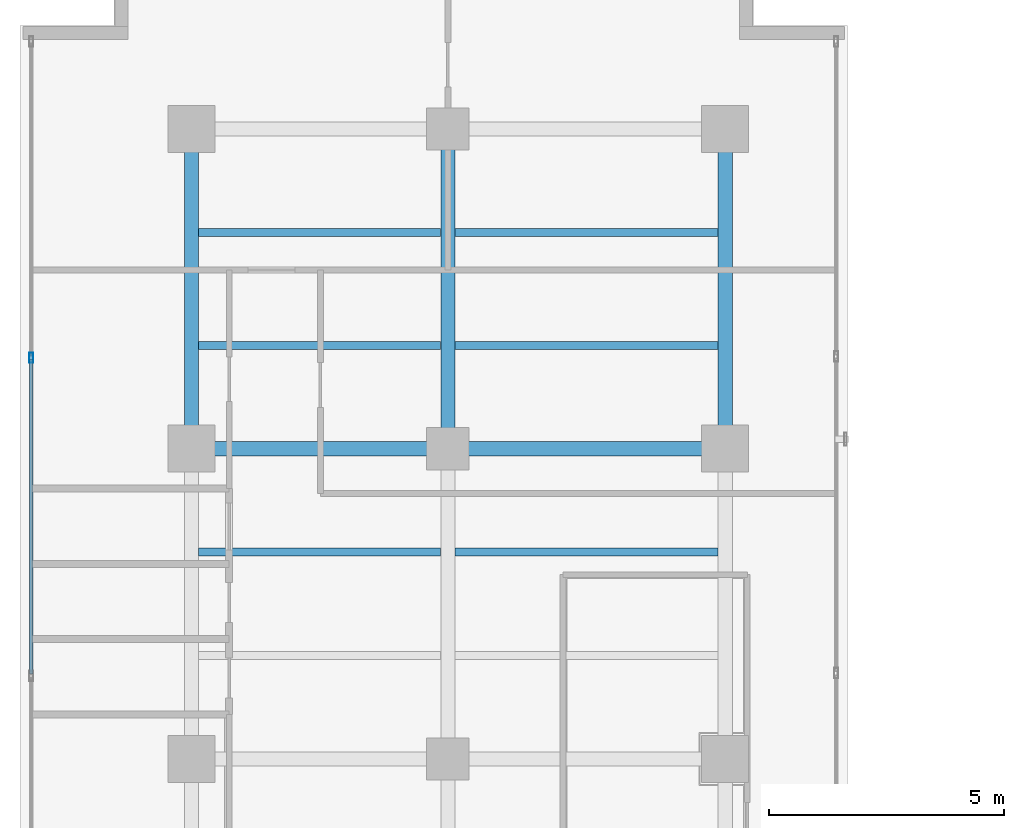
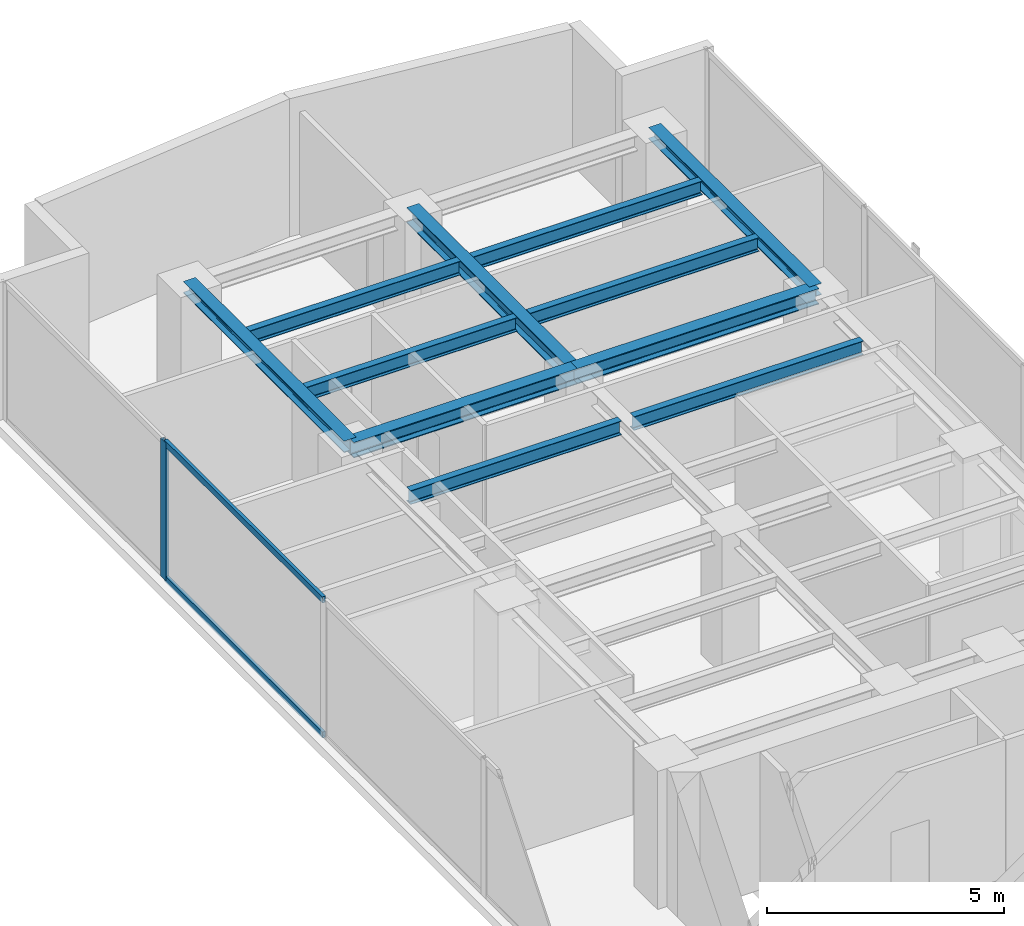
# One storey, part 13 of 24: 11 beams, 3 members, 1 element without a shape of its own.
"""IFC4 building model written with IfcOpenShell, lengths in metres."""

from ifc_helpers import new_model, si_unit, direction, frame, origin, origin_with_axes, origin_2d, place, context, subcontext, project, spatial, hollow_rectangle, i_section, extrude, source, transform, mapped, material, layer, layer_set, material_profile, profile_set, type_object, element, aggregate, save


model = new_model("IFC4")

# Units and contexts
model_context = context("Model", 3, precision=1e-05, world=origin(), true_north=direction((0.0, 1.0)))
body_context = subcontext(model_context, "Body", "Model", "MODEL_VIEW")
ifc_project = project(units=[si_unit("LENGTHUNIT", "METRE"), si_unit("AREAUNIT", "SQUARE_METRE"), si_unit("VOLUMEUNIT", "CUBIC_METRE"), si_unit("PLANEANGLEUNIT", "RADIAN"), si_unit("MASSUNIT", "GRAM", prefix="KILO")], contexts=[model_context])

# Site, building, storey
site_placement = place(None, origin())
site = spatial("IfcSite", under=ifc_project, at=site_placement, CompositionType="ELEMENT")
building_placement = place(site_placement, origin())
building = spatial("IfcBuilding", under=site, at=building_placement, Name="Kolvaren Waterfront Exchange", CompositionType="ELEMENT")
storey_placement = place(building_placement, frame((0.0, 0.0, 208.300048828125)))
storey = spatial("IfcBuildingStorey", under=building, at=storey_placement, Name="L53", CompositionType="ELEMENT", Elevation=208.300048828125)

# Beams
ifc_material_1 = material(Name="Steel S355", Category="steel")
ifc_material_profile_1 = material_profile(ifc_material_1, i_section(OverallWidth=0.300048828125, OverallDepth=0.300048828125, WebThickness=0.010986328125, FlangeThickness=0.01904296875, FilletRadius=0.027099609375, at=origin_2d()), Name="HEB300")
ifc_profile_set_1 = profile_set([ifc_material_profile_1], Name="Steel S355")
beam_type_1 = type_object("IfcBeamType", Name="STR-BM-HEB300", PredefinedType="SPANDREL", material=ifc_profile_set_1)
for number, where, z_axis, x_axis, name in (
    (1, (7.449951171875, 37.800048828125, 3.409912109375), (0.0, 1.0, 0.0), (-1.0, 0.0, 0.0), "L53 north-arm edge beam 3"),
    (2, (18.800048828125, 37.800048828125, 3.409912109375), (0.0, 1.0, 0.0), (-1.0, 0.0, 0.0), "L53 north-arm edge beam 3"),
):
    element("IfcBeam", number, at=place(storey_placement, frame(where, z_axis=z_axis, x_axis=x_axis)), inside=storey, type_object=beam_type_1, Name=name, PredefinedType="SPANDREL", context=body_context, shape_type="SweptSolid", body=[
        extrude(i_section(OverallWidth=0.300048828125, OverallDepth=0.300048828125, WebThickness=0.010986328125, FlangeThickness=0.01904296875, FilletRadius=0.027099609375, at=origin_2d()), origin(), (0.0, 0.0, 1.0), 6.800048828125),
    ])
ifc_material_profile_2 = material_profile(ifc_material_1, i_section(OverallWidth=0.300048828125, OverallDepth=0.39990234375, WebThickness=0.013427734375, FlangeThickness=0.02392578125, FilletRadius=0.027099609375, at=origin_2d()), Name="HEB400")
ifc_profile_set_2 = profile_set([ifc_material_profile_2], Name="Steel S355")
beam_type_2 = type_object("IfcBeamType", Name="STR-BM-HEB400", PredefinedType="BEAM", material=ifc_profile_set_2)
beam_1_placement = place(storey_placement, frame((7.449951171875, 37.800048828125, 3.35986328125), z_axis=(1.0, 0.0, 0.0), x_axis=(0.0, 1.0, 0.0)))
element("IfcBeam", 3, at=beam_1_placement, inside=storey, type_object=beam_type_2, Name="L53 north-arm girder 3A", PredefinedType="BEAM", context=body_context, shape_type="SweptSolid", body=[
    extrude(i_section(OverallWidth=0.300048828125, OverallDepth=0.39990234375, WebThickness=0.013427734375, FlangeThickness=0.02392578125, FilletRadius=0.027099609375, at=origin_2d()), origin(), (0.0, 0.0, 1.0), 5.449951171875),
])
beam_2_placement = place(storey_placement, frame((12.89990234375, 37.800048828125, 3.35986328125), z_axis=(1.0, 0.0, 0.0), x_axis=(0.0, 1.0, 0.0)))
element("IfcBeam", 4, at=beam_2_placement, inside=storey, type_object=beam_type_2, Name="L53 north-arm girder 3B", PredefinedType="BEAM", context=body_context, shape_type="SweptSolid", body=[
    extrude(i_section(OverallWidth=0.300048828125, OverallDepth=0.39990234375, WebThickness=0.013427734375, FlangeThickness=0.02392578125, FilletRadius=0.027099609375, at=origin_2d()), origin(), (0.0, 0.0, 1.0), 5.900146484375),
])
beam_3_placement = place(storey_placement, frame((12.89990234375, 37.800048828125, 3.35986328125), z_axis=(0.0, 1.0, 0.0), x_axis=(-1.0, 0.0, 0.0)))
element("IfcBeam", 5, at=beam_3_placement, inside=storey, type_object=beam_type_2, Name="L53 north-arm edge beam 3", PredefinedType="BEAM", context=body_context, shape_type="SweptSolid", body=[
    extrude(i_section(OverallWidth=0.300048828125, OverallDepth=0.39990234375, WebThickness=0.013427734375, FlangeThickness=0.02392578125, FilletRadius=0.027099609375, at=origin_2d()), origin(), (0.0, 0.0, 1.0), 6.800048828125),
])
ifc_material_profile_3 = material_profile(ifc_material_1, i_section(OverallWidth=0.169921875, OverallDepth=0.360107421875, WebThickness=0.008056640625, FlangeThickness=0.0126953125, FilletRadius=0.01806640625, at=origin_2d()), Name="IPE360")
ifc_profile_set_3 = profile_set([ifc_material_profile_3], Name="Steel S355")
beam_type_3 = type_object("IfcBeamType", Name="STR-BM-IPE360", PredefinedType="JOIST", material=ifc_profile_set_3)
beam_4_placement = place(storey_placement, frame((7.60205078125, 35.60009765625, 3.3798828125), z_axis=(1.0, 0.0, 0.0), x_axis=(0.0, 1.0, 0.0)))
element("IfcBeam", 6, at=beam_4_placement, inside=storey, type_object=beam_type_3, Name="L53 north-arm composite joist 4A", PredefinedType="JOIST", context=body_context, shape_type="SweptSolid", body=[
    extrude(i_section(OverallWidth=0.169921875, OverallDepth=0.360107421875, WebThickness=0.008056640625, FlangeThickness=0.0126953125, FilletRadius=0.01806640625, at=origin_2d()), origin(), (0.0, 0.0, 1.0), 5.14599609375),
])
beam_5_placement = place(storey_placement, frame((13.052001953125, 35.60009765625, 3.3798828125), z_axis=(1.0, 0.0, 0.0), x_axis=(0.0, 1.0, 0.0)))
element("IfcBeam", 7, at=beam_5_placement, inside=storey, type_object=beam_type_3, Name="L53 north-arm composite joist 4B", PredefinedType="JOIST", context=body_context, shape_type="SweptSolid", body=[
    extrude(i_section(OverallWidth=0.169921875, OverallDepth=0.360107421875, WebThickness=0.008056640625, FlangeThickness=0.0126953125, FilletRadius=0.01806640625, at=origin_2d()), origin(), (0.0, 0.0, 1.0), 5.595947265625),
])
beam_6_placement = place(storey_placement, frame((7.60205078125, 40.0, 3.3798828125), z_axis=(1.0, 0.0, 0.0), x_axis=(0.0, 1.0, 0.0)))
element("IfcBeam", 8, at=beam_6_placement, inside=storey, type_object=beam_type_3, Name="L53 north-arm composite joist 5A", PredefinedType="JOIST", context=body_context, shape_type="SweptSolid", body=[
    extrude(i_section(OverallWidth=0.169921875, OverallDepth=0.360107421875, WebThickness=0.008056640625, FlangeThickness=0.0126953125, FilletRadius=0.01806640625, at=origin_2d()), origin(), (0.0, 0.0, 1.0), 5.14599609375),
])
beam_7_placement = place(storey_placement, frame((13.052001953125, 40.0, 3.3798828125), z_axis=(1.0, 0.0, 0.0), x_axis=(0.0, 1.0, 0.0)))
element("IfcBeam", 9, at=beam_7_placement, inside=storey, type_object=beam_type_3, Name="L53 north-arm composite joist 5B", PredefinedType="JOIST", context=body_context, shape_type="SweptSolid", body=[
    extrude(i_section(OverallWidth=0.169921875, OverallDepth=0.360107421875, WebThickness=0.008056640625, FlangeThickness=0.0126953125, FilletRadius=0.01806640625, at=origin_2d()), origin(), (0.0, 0.0, 1.0), 5.595947265625),
])
beam_8_placement = place(storey_placement, frame((7.60205078125, 42.39990234375, 3.3798828125), z_axis=(1.0, 0.0, 0.0), x_axis=(0.0, 1.0, 0.0)))
element("IfcBeam", 10, at=beam_8_placement, inside=storey, type_object=beam_type_3, Name="L53 north-arm composite joist 6A", PredefinedType="JOIST", context=body_context, shape_type="SweptSolid", body=[
    extrude(i_section(OverallWidth=0.169921875, OverallDepth=0.360107421875, WebThickness=0.008056640625, FlangeThickness=0.0126953125, FilletRadius=0.01806640625, at=origin_2d()), origin(), (0.0, 0.0, 1.0), 5.14599609375),
])
beam_9_placement = place(storey_placement, frame((13.052001953125, 42.39990234375, 3.3798828125), z_axis=(1.0, 0.0, 0.0), x_axis=(0.0, 1.0, 0.0)))
element("IfcBeam", 11, at=beam_9_placement, inside=storey, type_object=beam_type_3, Name="L53 north-arm composite joist 6B", PredefinedType="JOIST", context=body_context, shape_type="SweptSolid", body=[
    extrude(i_section(OverallWidth=0.169921875, OverallDepth=0.360107421875, WebThickness=0.008056640625, FlangeThickness=0.0126953125, FilletRadius=0.01806640625, at=origin_2d()), origin(), (0.0, 0.0, 1.0), 5.595947265625),
])

# Curtain wall, members
ifc_material_2 = material(Name="Anodised aluminium 6063-T6", Category="aluminium")
ifc_layer = layer(ifc_material_2, 0.219970703125, Name="Anodised aluminium 6063-T6")
ifc_layer_set = layer_set([ifc_layer], Name="Anodised aluminium 6063-T6")
curtain_wall_type = type_object("IfcCurtainWallType", Name="ARC-CW-SYS2", PredefinedType="USERDEFINED", material=ifc_layer_set)
curtain_wall_placement = place(storey_placement, origin())
curtain_wall = element("IfcCurtainWall", 12, at=curtain_wall_placement, inside=storey, type_object=curtain_wall_type, Name="L53 stick curtain wall CW2 (CW-L53-W)", ObjectType="STICK CURTAIN WALL", PredefinedType="USERDEFINED")
ifc_material_profile_4 = material_profile(ifc_material_2, hollow_rectangle(XDim=0.080078125, YDim=0.219970703125, WallThickness=0.0048828125, at=origin_2d()), Name="ALU-MUL-220x80x5")
ifc_profile_set_4 = profile_set([ifc_material_profile_4], Name="Anodised aluminium 6063-T6")
member_type_1 = type_object("IfcMemberType", Name="ARC-CWM-220", PredefinedType="MULLION", material=ifc_profile_set_4)
shared_shape_1 = source(origin_with_axes(), body_context, "Body", "SweptSolid", [
    extrude(hollow_rectangle(XDim=0.080078125, YDim=0.219970703125, WallThickness=0.0048828125, at=origin_2d()), origin(), (0.0, 0.0, 1.0), 3.56005859375),
])
member_1_placement = place(storey_placement, frame((4.0400390625, 39.7333984375, 0.0), z_axis=(0.0, 0.0, 1.0), x_axis=(-1.0, 0.0, 0.0)))
member_1 = element("IfcMember", 13, at=member_1_placement, type_object=member_type_1, Name="CW2 mullion 6", PredefinedType="MULLION", context=body_context, shape_type="MappedRepresentation", body=[
    mapped(shared_shape_1, transform((0.0, 0.0, 0.0), x_axis=(1.0, 0.0, 0.0), y_axis=(0.0, 1.0, 0.0), z_axis=(0.0, 0.0, 1.0), scale=1.0)),
])
ifc_material_profile_5 = material_profile(ifc_material_2, hollow_rectangle(XDim=0.074951171875, YDim=0.159912109375, WallThickness=0.00439453125, at=origin_2d()), Name="ALU-TRN-160x75x4.5")
ifc_profile_set_5 = profile_set([ifc_material_profile_5], Name="Anodised aluminium 6063-T6")
member_type_2 = type_object("IfcMemberType", Name="ARC-CWT-160", PredefinedType="USERDEFINED", material=ifc_profile_set_5)
shared_shape_2 = source(origin_with_axes(), body_context, "Body", "SweptSolid", [
    extrude(hollow_rectangle(XDim=0.074951171875, YDim=0.159912109375, WallThickness=0.00439453125, at=origin_2d()), origin(), (0.0, 0.0, 1.0), 6.686767578125),
])
member_2_placement = place(storey_placement, frame((4.0400390625, 33.006591796875, 0.037353515625), z_axis=(0.0, 1.0, 0.0), x_axis=(-1.0, 0.0, 0.0)))
member_2 = element("IfcMember", 14, at=member_2_placement, type_object=member_type_2, Name="CW2 transom 5.1", ObjectType="TRANSOM", PredefinedType="USERDEFINED", context=body_context, shape_type="MappedRepresentation", body=[
    mapped(shared_shape_2, transform((0.0, 0.0, 0.0), x_axis=(1.0, 0.0, 0.0), y_axis=(0.0, 1.0, 0.0), z_axis=(0.0, 0.0, 1.0), scale=1.0)),
])
member_3_placement = place(storey_placement, frame((4.0400390625, 33.006591796875, 3.5224609375), z_axis=(0.0, 1.0, 0.0), x_axis=(-1.0, 0.0, 0.0)))
member_3 = element("IfcMember", 15, at=member_3_placement, type_object=member_type_2, Name="CW2 transom 5.2", ObjectType="TRANSOM", PredefinedType="USERDEFINED", context=body_context, shape_type="MappedRepresentation", body=[
    mapped(shared_shape_2, transform((0.0, 0.0, 0.0), x_axis=(1.0, 0.0, 0.0), y_axis=(0.0, 1.0, 0.0), z_axis=(0.0, 0.0, 1.0), scale=1.0)),
])
aggregate(curtain_wall, [member_1, member_2, member_3])

save(model, "model.ifc")
